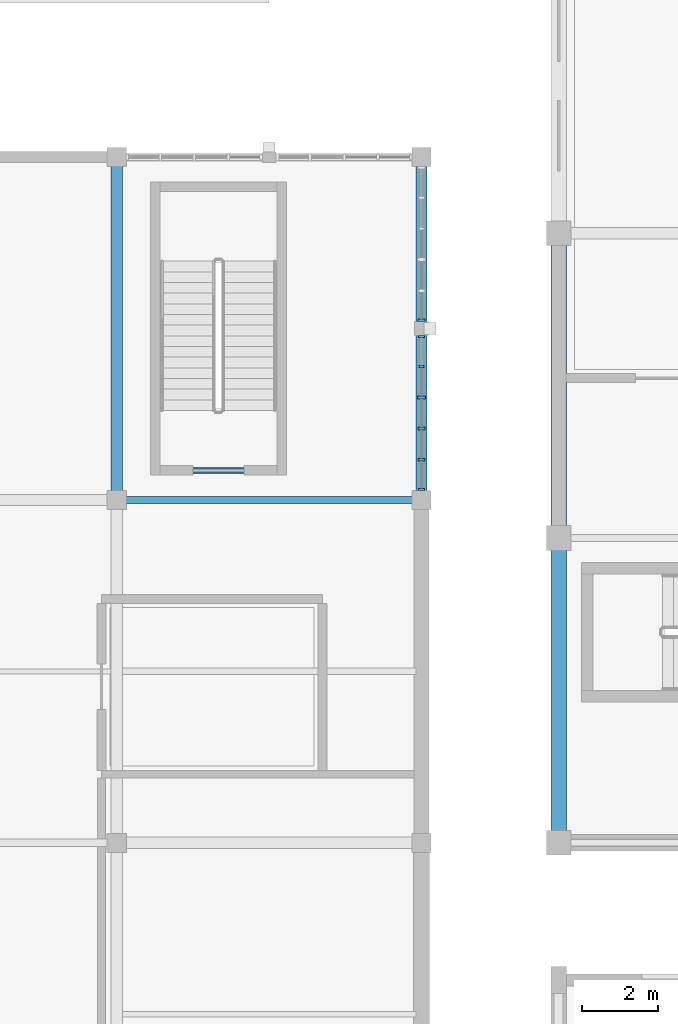
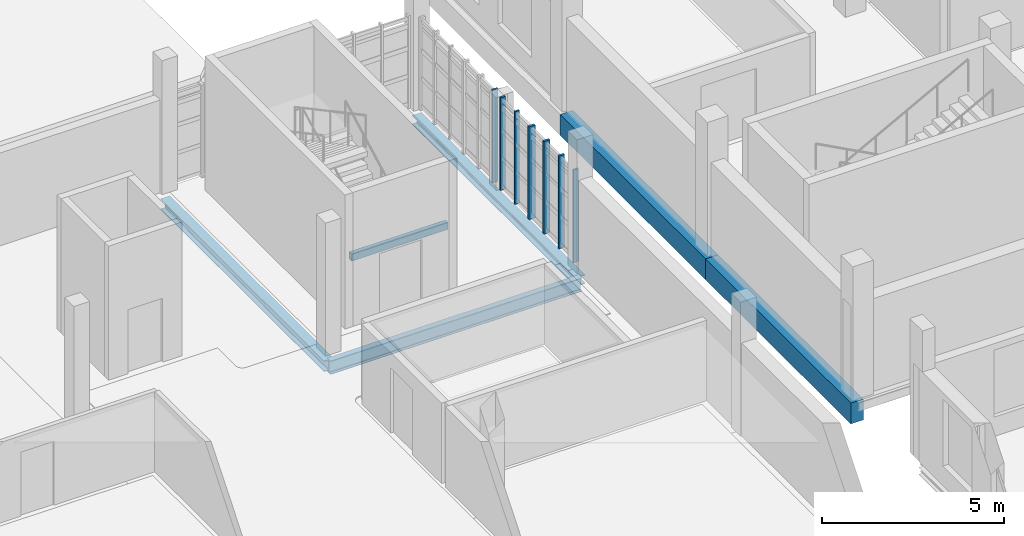
# One storey, part 16 of 125: 7 members, 6 beams, 2 elements without a shape of their own.
"""IFC4 building model written with IfcOpenShell, lengths in metres."""

import ifcopenshell
import ifcopenshell.guid

model = None  # the IFC model being written
_history = None  # IfcOwnerHistory: only IFC2X3 demands one
_inside = {}  # id of a spatial element -> (the spatial element, [elements in it])
_under = {}  # id of a project, library or spatial element -> (it, [spatial elements below it])
_declared = {}  # id of a project -> (the project, [libraries it declares])
_typed = {}  # id of a type object -> (the type object, [elements of that type])
_made_of = {}  # id of a material, layer set ... -> (it, [elements and type objects made of it])


def new_model(schema):
    """Start an empty IFC model of exactly this schema.

    Asked for "IFC4X3", IfcOpenShell would pick the latest addendum, in which some entities
    have other attributes; the version numbers below select the first issue.
    IFC2X3 requires an IfcOwnerHistory on every rooted entity: one is made here for all.
    """
    global model, _history
    if schema == "IFC4X3":
        model = ifcopenshell.file(schema_version=(4, 3, 0, 0))
    else:
        model = ifcopenshell.file(schema=schema)
    _inside.clear()
    _under.clear()
    _declared.clear()
    _typed.clear()
    _made_of.clear()
    _history = None
    if model.schema == "IFC2X3":
        org = make("IfcOrganization", Name="unknown")
        user = make(
            "IfcPersonAndOrganization",
            ThePerson=make("IfcPerson", FamilyName="unknown"),
            TheOrganization=org,
        )
        app = make(
            "IfcApplication",
            ApplicationDeveloper=org,
            Version="unknown",
            ApplicationFullName="unknown",
            ApplicationIdentifier="unknown",
        )
        _history = make(
            "IfcOwnerHistory",
            OwningUser=user,
            OwningApplication=app,
            ChangeAction="ADDED",
            CreationDate=0,
        )
    return model


def make(cls, **values):
    """One entity of the class cls with the attributes given. An attribute that is None is left unset."""
    return model.create_entity(
        cls, **{name: value for name, value in values.items() if value is not None}
    )


def rooted(cls, **values):
    """An entity with a GlobalId (a new one), such as an element, a storey or a relation."""
    return make(cls, GlobalId=ifcopenshell.guid.new(), OwnerHistory=_history, **values)


def si_unit(unit_type, name, prefix=None):
    """IfcSIUnit, for example si_unit("LENGTHUNIT", "METRE", prefix="MILLI")."""
    return make("IfcSIUnit", UnitType=unit_type, Prefix=prefix, Name=name)


def assignment(units):
    """IfcUnitAssignment: the units of a project."""
    return None if units is None else make("IfcUnitAssignment", Units=units)


def point(xyz):
    """IfcCartesianPoint."""
    return None if xyz is None else make("IfcCartesianPoint", Coordinates=xyz)


def direction(xyz):
    """IfcDirection."""
    return None if xyz is None else make("IfcDirection", DirectionRatios=xyz)


def frame(location, z_axis=None, x_axis=None):
    """IfcAxis2Placement3D, a coordinate frame: its origin and axes. An axis left out is left unset."""
    return make(
        "IfcAxis2Placement3D",
        Location=point(location),
        Axis=direction(z_axis),
        RefDirection=direction(x_axis),
    )


def frame_2d(location, x_axis=None):
    """IfcAxis2Placement2D, a coordinate frame in the plane: its origin and x axis."""
    return make(
        "IfcAxis2Placement2D", Location=point(location), RefDirection=direction(x_axis)
    )


def origin():
    """The frame at (0, 0, 0) with its axes left unset."""
    return frame((0.0, 0.0, 0.0))


def origin_2d():
    """The frame at (0, 0) in the plane with its x axis left unset."""
    return frame_2d((0.0, 0.0))


def place(relative_to, where):
    """IfcLocalPlacement: puts the frame where relative to a parent placement (None: the world)."""
    return make(
        "IfcLocalPlacement", PlacementRelTo=relative_to, RelativePlacement=where
    )


def context(
    kind, dimensions, precision=None, world=None, true_north=None, identifier=None
):
    """IfcGeometricRepresentationContext, for example the 3D "Model" context."""
    return make(
        "IfcGeometricRepresentationContext",
        ContextIdentifier=identifier,
        ContextType=kind,
        CoordinateSpaceDimension=dimensions,
        Precision=precision,
        WorldCoordinateSystem=world,
        TrueNorth=true_north,
    )


def subcontext(parent, identifier, kind, view, scale=None):
    """IfcGeometricRepresentationSubContext, for example "Body" below "Model"."""
    return make(
        "IfcGeometricRepresentationSubContext",
        ContextIdentifier=identifier,
        ContextType=kind,
        ParentContext=parent,
        TargetScale=scale,
        TargetView=view,
    )


def project(units=None, contexts=None):
    """IfcProject with its units and contexts."""
    return rooted(
        "IfcProject",
        Name="project",
        RepresentationContexts=contexts,
        UnitsInContext=assignment(units),
    )


def spatial(cls, under=None, at=None, **own):
    """A site, building, storey or space (cls), placed at a placement, below another one or the project."""
    s = rooted(cls, ObjectPlacement=at, **own)
    if under is not None:
        _under.setdefault(under.id(), (under, []))[1].append(s)
    return s


def profile(cls, at=None, kind="AREA", **sizes):
    """A parametric profile (cls). Its sizes go by their IFC names, for example OverallWidth=200.0."""
    return make(cls, ProfileType=kind, Position=at, **sizes)


def rectangle(**sizes):
    """IfcRectangleProfileDef."""
    return profile("IfcRectangleProfileDef", **sizes)


def hollow_rectangle(**sizes):
    """IfcRectangleHollowProfileDef."""
    return profile("IfcRectangleHollowProfileDef", **sizes)


def i_section(**sizes):
    """IfcIShapeProfileDef."""
    return profile("IfcIShapeProfileDef", **sizes)


def extrude(swept, where, along, depth):
    """IfcExtrudedAreaSolid: the profile swept, set in the frame where, extruded along a direction by depth."""
    return make(
        "IfcExtrudedAreaSolid",
        SweptArea=swept,
        Position=where,
        ExtrudedDirection=direction(along),
        Depth=depth,
    )


def shape(context_of_items, identifier, shape_type, items):
    """IfcShapeRepresentation: the items that make up one representation, for example the "Body"."""
    return make(
        "IfcShapeRepresentation",
        ContextOfItems=context_of_items,
        RepresentationIdentifier=identifier,
        RepresentationType=shape_type,
        Items=items,
    )


def material(Name=None, Category=None):
    """IfcMaterial."""
    return make("IfcMaterial", Name=Name, Category=Category)


def material_profile(
    of_material, cross_section, Name=None, Category=None, Priority=None
):
    """IfcMaterialProfile: a cross section and its material."""
    return make(
        "IfcMaterialProfile",
        Name=Name,
        Material=of_material,
        Profile=cross_section,
        Priority=Priority,
        Category=Category,
    )


def profile_set(profiles, Name=None, composite=None):
    """IfcMaterialProfileSet."""
    return make(
        "IfcMaterialProfileSet",
        Name=Name,
        MaterialProfiles=profiles,
        CompositeProfile=composite,
    )


def made_of(thing, what):
    """Note that an element or type object is made of a material, layer set ...; save() writes the relation."""
    if what is not None:
        _made_of.setdefault(what.id(), (what, []))[1].append(thing)
    return thing


def type_object(cls, material=None, **own):
    """A type object (cls), such as IfcWallType, which elements share."""
    return made_of(rooted(cls, **own), material)


def element(
    cls,
    number,
    at=None,
    inside=None,
    cuts=None,
    type_object=None,
    material=None,
    context=None,
    identifier="Body",
    shape_type=None,
    held_by="IfcProductDefinitionShape",
    body=None,
    shapes=None,
    **own,
):
    """One element of the class cls, such as IfcWall. Its Tag is "e" and its number.

    at: its placement. inside: the storey or other place that contains it. cuts: it is an
    opening in that element (IfcRelVoidsElement). A single representation is given by context,
    identifier, shape_type and body (its items); several are given by shapes. held_by: the class
    of the entity that holds the representations. save() writes the other relations.
    """
    e = rooted(cls, Tag="e%d" % number, ObjectPlacement=at, **own)
    if body is not None:
        shapes = [shape(context, identifier, shape_type, body)]
    if shapes is not None:
        e.Representation = make(held_by, Representations=shapes)
    if inside is not None:
        _inside.setdefault(inside.id(), (inside, []))[1].append(e)
    if cuts is not None:
        rooted(
            "IfcRelVoidsElement", RelatingBuildingElement=cuts, RelatedOpeningElement=e
        )
    if type_object is not None:
        _typed.setdefault(type_object.id(), (type_object, []))[1].append(e)
    return made_of(e, material)


def aggregate(whole, parts):
    """IfcRelAggregates: a whole, such as a stair, and the parts it consists of."""
    return rooted("IfcRelAggregates", RelatingObject=whole, RelatedObjects=parts)


def save(model, path):
    """Write the relations noted so far, then the file.

    IfcRelAggregates (storeys below a building ...), IfcRelContainedInSpatialStructure (elements
    in a storey), IfcRelDefinesByType, IfcRelAssociatesMaterial and IfcRelDeclares: one each for
    every whole, place, type object, material and project.
    """
    for whole, parts in _under.values():
        aggregate(whole, parts)
    for where, things in _inside.values():
        rooted(
            "IfcRelContainedInSpatialStructure",
            RelatedElements=things,
            RelatingStructure=where,
        )
    for kind, things in _typed.values():
        rooted("IfcRelDefinesByType", RelatedObjects=things, RelatingType=kind)
    for what, things in _made_of.values():
        rooted("IfcRelAssociatesMaterial", RelatedObjects=things, RelatingMaterial=what)
    for by, libraries in _declared.values():
        rooted("IfcRelDeclares", RelatingContext=by, RelatedDefinitions=libraries)
    model.write(path)


model = new_model("IFC4")

# Units and contexts
model_context = context("Model", 3, precision=1e-05, world=origin(), true_north=direction((0.0, 1.0)))
body_context = subcontext(model_context, "Body", "Model", "MODEL_VIEW")
ifc_project = project(units=[si_unit("LENGTHUNIT", "METRE"), si_unit("AREAUNIT", "SQUARE_METRE"), si_unit("VOLUMEUNIT", "CUBIC_METRE"), si_unit("PLANEANGLEUNIT", "RADIAN"), si_unit("MASSUNIT", "GRAM", prefix="KILO")], contexts=[model_context])

# Site, building, storey
site_placement = place(None, origin())
site = spatial("IfcSite", under=ifc_project, at=site_placement, CompositionType="ELEMENT")
building_placement = place(site_placement, origin())
building = spatial("IfcBuilding", under=site, at=building_placement, Name="Serraforn Aerial Cableway Station", CompositionType="ELEMENT")
storey_placement = place(building_placement, frame((0.0, 0.0, 4.5)))
storey = spatial("IfcBuildingStorey", under=building, at=storey_placement, Name="L01", CompositionType="ELEMENT", Elevation=4.5)

# Beams
ifc_material_1 = material(Name="Concrete C35/45", Category="concrete")
ifc_material_profile_1 = material_profile(ifc_material_1, rectangle(XDim=0.39990234375, YDim=0.699951171875, at=origin_2d()), Name="RC 400x700")
ifc_profile_set_1 = profile_set([ifc_material_profile_1], Name="Concrete C35/45")
beam_type_1 = type_object("IfcBeamType", Name="BM-RC-400x700E", PredefinedType="SPANDREL", material=ifc_profile_set_1)
for number, where, z_axis, x_axis, name in (
    (1, (27.60009765625, 18.0, -0.669921875), (0.0, 1.0, 0.0), (-1.0, 0.0, 0.0), "Grid Girder Y CV L01 X1-1"),
    (2, (27.60009765625, 26.0, -0.669921875), (0.0, 1.0, 0.0), (-1.0, 0.0, 0.0), "Grid Girder Y CV L01 X1-2"),
):
    element("IfcBeam", number, at=place(storey_placement, frame(where, z_axis=z_axis, x_axis=x_axis)), inside=storey, type_object=beam_type_1, Name=name, PredefinedType="SPANDREL", context=body_context, shape_type="SweptSolid", body=[
        extrude(rectangle(XDim=0.39990234375, YDim=0.699951171875, at=origin_2d()), origin(), (0.0, 0.0, 1.0), 8.0),
    ])
ifc_material_2 = material(Name="Steel S355JR", Category="steel")
ifc_material_profile_2 = material_profile(ifc_material_2, i_section(OverallWidth=0.300048828125, OverallDepth=0.360107421875, WebThickness=0.010009765625, FlangeThickness=0.017578125, FilletRadius=0.027099609375, at=origin_2d()), Name="HEA 360")
ifc_profile_set_2 = profile_set([ifc_material_profile_2], Name="Steel S355JR")
beam_type_2 = type_object("IfcBeamType", Name="BM-ST-HEA360", PredefinedType="BEAM", material=ifc_profile_set_2)
beam_1_placement = place(storey_placement, frame((16.0, 27.0, -0.5), z_axis=(0.0, 1.0, 0.0), x_axis=(-1.0, 0.0, 0.0)))
element("IfcBeam", 3, at=beam_1_placement, inside=storey, type_object=beam_type_2, Name="Grid Girder Y W L01 X3-4", PredefinedType="BEAM", context=body_context, shape_type="SweptSolid", body=[
    extrude(i_section(OverallWidth=0.300048828125, OverallDepth=0.360107421875, WebThickness=0.010009765625, FlangeThickness=0.017578125, FilletRadius=0.027099609375, at=origin_2d()), origin(), (0.0, 0.0, 1.0), 9.0),
])
ifc_material_3 = material(Name="Steel S355J2", Category="steel")
ifc_material_profile_3 = material_profile(ifc_material_3, i_section(OverallWidth=0.300048828125, OverallDepth=0.300048828125, WebThickness=0.010986328125, FlangeThickness=0.01904296875, FilletRadius=0.027099609375, at=origin_2d()), Name="HEB 300")
ifc_profile_set_3 = profile_set([ifc_material_profile_3], Name="Steel S355J2")
beam_type_3 = type_object("IfcBeamType", Name="BM-ST-HEB300", PredefinedType="BEAM", material=ifc_profile_set_3)
beam_2_placement = place(storey_placement, frame((24.0, 27.0, -0.469970703125), z_axis=(0.0, 1.0, 0.0), x_axis=(-1.0, 0.0, 0.0)))
element("IfcBeam", 4, at=beam_2_placement, inside=storey, type_object=beam_type_3, Name="Grid Girder Y W L01 X4-4", PredefinedType="BEAM", context=body_context, shape_type="SweptSolid", body=[
    extrude(i_section(OverallWidth=0.300048828125, OverallDepth=0.300048828125, WebThickness=0.010986328125, FlangeThickness=0.01904296875, FilletRadius=0.027099609375, at=origin_2d()), origin(), (0.0, 0.0, 1.0), 9.0),
])
ifc_material_profile_4 = material_profile(ifc_material_2, i_section(OverallWidth=0.18994140625, OverallDepth=0.449951171875, WebThickness=0.009521484375, FlangeThickness=0.0146484375, FilletRadius=0.02099609375, at=origin_2d()), Name="IPE 450")
ifc_profile_set_4 = profile_set([ifc_material_profile_4], Name="Steel S355JR")
beam_type_4 = type_object("IfcBeamType", Name="BM-ST-IPE450", PredefinedType="BEAM", material=ifc_profile_set_4)
beam_3_placement = place(storey_placement, frame((16.0, 27.0, -0.544921875), z_axis=(1.0, 0.0, 0.0), x_axis=(0.0, 1.0, 0.0)))
element("IfcBeam", 5, at=beam_3_placement, inside=storey, type_object=beam_type_4, Name="Grid Girder X W L01 Y4-3", PredefinedType="BEAM", context=body_context, shape_type="SweptSolid", body=[
    extrude(i_section(OverallWidth=0.18994140625, OverallDepth=0.449951171875, WebThickness=0.009521484375, FlangeThickness=0.0146484375, FilletRadius=0.02099609375, at=origin_2d()), origin(), (0.0, 0.0, 1.0), 8.0),
])
ifc_material_profile_5 = material_profile(ifc_material_3, hollow_rectangle(XDim=0.14990234375, YDim=0.25, WallThickness=0.010009765625, InnerFilletRadius=0.010009765625, OuterFilletRadius=0.02001953125, at=origin_2d()), Name="RHS 250x150x10.0")
ifc_profile_set_5 = profile_set([ifc_material_profile_5], Name="Steel S355J2")
beam_type_5 = type_object("IfcBeamType", Name="BM-ST-RHS250", PredefinedType="LINTEL", material=ifc_profile_set_5)
beam_4_placement = place(storey_placement, frame((20.199951171875, 27.77490234375, 2.27490234375), z_axis=(-1.0, 0.0, 0.0), x_axis=(0.0, -1.0, 0.0)))
element("IfcBeam", 6, at=beam_4_placement, inside=storey, type_object=beam_type_5, Name="Stair Core Door Lintel D-S06", PredefinedType="LINTEL", context=body_context, shape_type="SweptSolid", body=[
    extrude(hollow_rectangle(XDim=0.14990234375, YDim=0.25, WallThickness=0.010009765625, InnerFilletRadius=0.010009765625, OuterFilletRadius=0.02001953125, at=origin_2d()), origin(), (0.0, 0.0, 1.0), 3.06005859375),
])

# Curtain wall, members
ifc_material_4 = material(Name="Anodised bronze unitised curtain wall")
curtain_wall_type_1 = type_object("IfcCurtainWallType", Name="CW-SYS-21", PredefinedType="USERDEFINED", material=ifc_material_4)
curtain_wall_1_placement = place(storey_placement, origin())
curtain_wall_1 = element("IfcCurtainWall", 7, at=curtain_wall_1_placement, inside=storey, type_object=curtain_wall_type_1, Name="Unitised Curtain Wall CW-W-L01-E4A", ObjectType="UNITISED CURTAIN WALL", PredefinedType="USERDEFINED")
ifc_material_5 = material(Name="Anodised bronze extruded aluminium", Category="aluminium")
ifc_material_profile_6 = material_profile(ifc_material_5, rectangle(XDim=0.054931640625, YDim=0.139892578125, at=origin_2d()), Name="CW MULLION 55x140")
ifc_profile_set_6 = profile_set([ifc_material_profile_6], Name="Anodised bronze extruded aluminium")
member_type_1 = type_object("IfcMemberType", Name="CW-MUL-1", PredefinedType="MULLION", material=ifc_profile_set_6)
member_1_placement = place(storey_placement, frame((24.0, 30.505615234375, 0.0), z_axis=(0.0, 0.0, 1.0), x_axis=(0.0, 1.0, 0.0)))
member_1 = element("IfcMember", 8, at=member_1_placement, type_object=member_type_1, Name="Curtain Wall Mullion CW-W-L01-E4A-M5", PredefinedType="MULLION", context=body_context, shape_type="SweptSolid", body=[
    extrude(rectangle(XDim=0.054931640625, YDim=0.139892578125, at=origin_2d()), origin(), (0.0, 0.0, 1.0), 3.1201171875),
])
ifc_material_profile_7 = material_profile(ifc_material_5, rectangle(XDim=0.06005859375, YDim=0.159912109375, at=origin_2d()), Name="CW MULLION 60x160")
ifc_profile_set_7 = profile_set([ifc_material_profile_7], Name="Anodised bronze extruded aluminium")
member_type_2 = type_object("IfcMemberType", Name="CW-MUL-2", PredefinedType="MULLION", material=ifc_profile_set_7)
member_2_placement = place(storey_placement, frame((24.0, 27.278076171875, 0.0), z_axis=(0.0, 0.0, 1.0), x_axis=(0.0, 1.0, 0.0)))
member_2 = element("IfcMember", 9, at=member_2_placement, type_object=member_type_2, Name="Curtain Wall Mullion CW-W-L01-E4A-M1", PredefinedType="MULLION", context=body_context, shape_type="SweptSolid", body=[
    extrude(rectangle(XDim=0.06005859375, YDim=0.159912109375, at=origin_2d()), origin(), (0.0, 0.0, 1.0), 3.1201171875),
])
member_3_placement = place(storey_placement, frame((24.0, 31.2900390625, 0.0), z_axis=(0.0, 0.0, 1.0), x_axis=(0.0, 1.0, 0.0)))
member_3 = element("IfcMember", 10, at=member_3_placement, type_object=member_type_2, Name="Curtain Wall Mullion CW-W-L01-E4A-M6", PredefinedType="MULLION", context=body_context, shape_type="SweptSolid", body=[
    extrude(rectangle(XDim=0.06005859375, YDim=0.159912109375, at=origin_2d()), origin(), (0.0, 0.0, 1.0), 3.1201171875),
])
ifc_material_profile_8 = material_profile(ifc_material_5, rectangle(XDim=0.06494140625, YDim=0.175048828125, at=origin_2d()), Name="CW MULLION 65x175")
ifc_profile_set_8 = profile_set([ifc_material_profile_8], Name="Anodised bronze extruded aluminium")
member_type_3 = type_object("IfcMemberType", Name="CW-MUL-3", PredefinedType="MULLION", material=ifc_profile_set_8)
member_4_placement = place(storey_placement, frame((24.0, 28.0625, 0.0), z_axis=(0.0, 0.0, 1.0), x_axis=(0.0, 1.0, 0.0)))
member_4 = element("IfcMember", 11, at=member_4_placement, type_object=member_type_3, Name="Curtain Wall Mullion CW-W-L01-E4A-M2", PredefinedType="MULLION", context=body_context, shape_type="SweptSolid", body=[
    extrude(rectangle(XDim=0.06494140625, YDim=0.175048828125, at=origin_2d()), origin(), (0.0, 0.0, 1.0), 3.1201171875),
])

# Curtain wall, member
curtain_wall_type_2 = type_object("IfcCurtainWallType", Name="CW-SYS-22", PredefinedType="USERDEFINED", material=ifc_material_4)
curtain_wall_2_placement = place(storey_placement, origin())
curtain_wall_2 = element("IfcCurtainWall", 12, at=curtain_wall_2_placement, inside=storey, type_object=curtain_wall_type_2, Name="Unitised Curtain Wall CW-W-L01-E4B", ObjectType="UNITISED CURTAIN WALL", PredefinedType="USERDEFINED")
member_5_placement = place(storey_placement, frame((24.0, 31.71240234375, 0.0), z_axis=(0.0, 0.0, 1.0), x_axis=(0.0, 1.0, 0.0)))
member_5 = element("IfcMember", 13, at=member_5_placement, type_object=member_type_3, Name="Curtain Wall Mullion CW-W-L01-E4B-M1", PredefinedType="MULLION", context=body_context, shape_type="SweptSolid", body=[
    extrude(rectangle(XDim=0.06494140625, YDim=0.175048828125, at=origin_2d()), origin(), (0.0, 0.0, 1.0), 3.1201171875),
])
aggregate(curtain_wall_2, [member_5])

# Member
ifc_material_profile_9 = material_profile(ifc_material_5, rectangle(XDim=0.070068359375, YDim=0.18994140625, at=origin_2d()), Name="CW MULLION 70x190")
ifc_profile_set_9 = profile_set([ifc_material_profile_9], Name="Anodised bronze extruded aluminium")
member_type_4 = type_object("IfcMemberType", Name="CW-MUL-4", PredefinedType="MULLION", material=ifc_profile_set_9)
member_6_placement = place(storey_placement, frame((24.0, 28.876708984375, 0.0), z_axis=(0.0, 0.0, 1.0), x_axis=(0.0, 1.0, 0.0)))
member_6 = element("IfcMember", 14, at=member_6_placement, type_object=member_type_4, Name="Curtain Wall Mullion CW-W-L01-E4A-M3", PredefinedType="MULLION", context=body_context, shape_type="SweptSolid", body=[
    extrude(rectangle(XDim=0.070068359375, YDim=0.18994140625, at=origin_2d()), origin(), (0.0, 0.0, 1.0), 3.1201171875),
])

ifc_material_profile_10 = material_profile(ifc_material_5, rectangle(XDim=0.074951171875, YDim=0.199951171875, at=origin_2d()), Name="CW MULLION 75x200")
ifc_profile_set_10 = profile_set([ifc_material_profile_10], Name="Anodised bronze extruded aluminium")
member_type_5 = type_object("IfcMemberType", Name="CW-MUL-5", PredefinedType="MULLION", material=ifc_profile_set_10)
member_7_placement = place(storey_placement, frame((24.0, 29.691162109375, 0.0), z_axis=(0.0, 0.0, 1.0), x_axis=(0.0, 1.0, 0.0)))
member_7 = element("IfcMember", 15, at=member_7_placement, type_object=member_type_5, Name="Curtain Wall Mullion CW-W-L01-E4A-M4", PredefinedType="MULLION", context=body_context, shape_type="SweptSolid", body=[
    extrude(rectangle(XDim=0.074951171875, YDim=0.199951171875, at=origin_2d()), origin(), (0.0, 0.0, 1.0), 3.1201171875),
])

aggregate(curtain_wall_1, [member_2, member_4, member_6, member_7, member_1, member_3])

save(model, "model.ifc")
